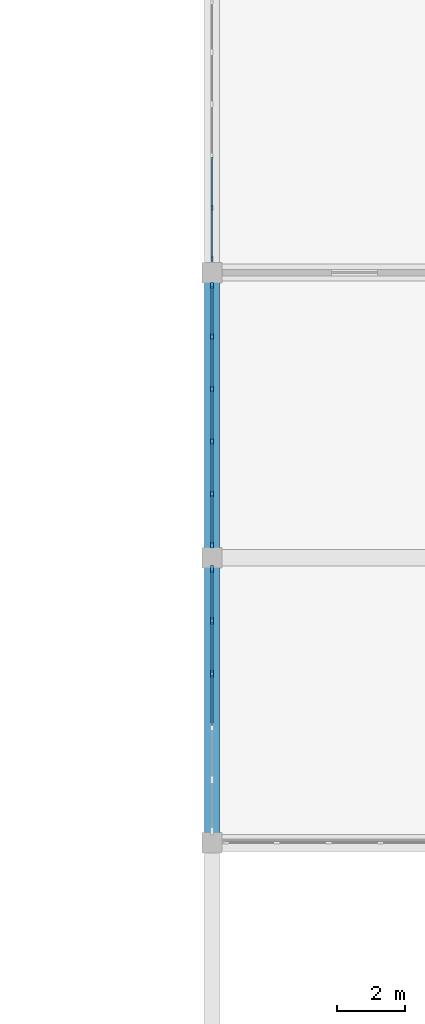
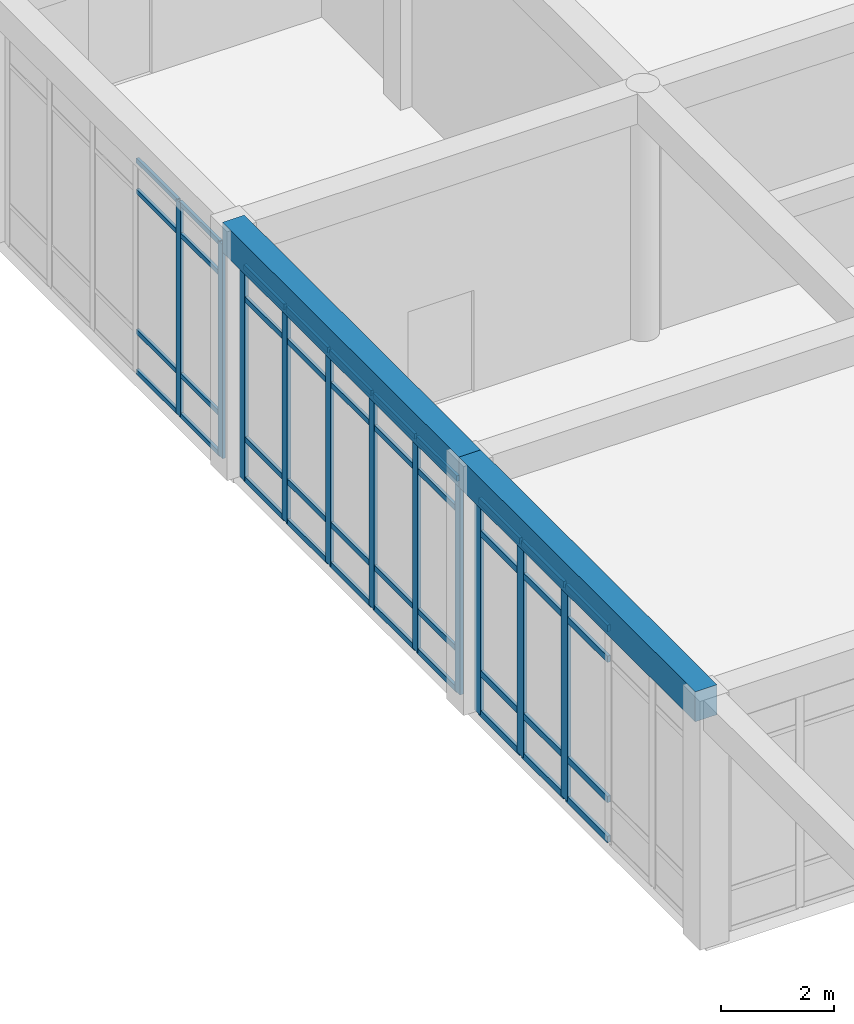
# One storey, part 19 of 89: 51 members, 2 beams, 3 elements without a shape of their own.
"""IFC4 building model written with IfcOpenShell, lengths in metres."""

from ifc_helpers import new_model, si_unit, direction, frame, origin, origin_2d, place, context, subcontext, project, spatial, rectangle, extrude, material, material_profile, profile_set, type_object, element, aggregate, save


model = new_model("IFC4")

# Units and contexts
model_context = context("Model", 3, precision=1e-05, world=origin(), true_north=direction((0.0, 1.0)))
body_context = subcontext(model_context, "Body", "Model", "MODEL_VIEW")
ifc_project = project(units=[si_unit("LENGTHUNIT", "METRE"), si_unit("AREAUNIT", "SQUARE_METRE"), si_unit("VOLUMEUNIT", "CUBIC_METRE"), si_unit("PLANEANGLEUNIT", "RADIAN"), si_unit("MASSUNIT", "GRAM", prefix="KILO")], contexts=[model_context])

# Site, building, storey
site_placement = place(None, origin())
site = spatial("IfcSite", under=ifc_project, at=site_placement, CompositionType="ELEMENT")
building_placement = place(site_placement, origin())
building = spatial("IfcBuilding", under=site, at=building_placement, Name="Varncliffe General Hospital", CompositionType="ELEMENT")
storey_placement = place(building_placement, frame((0.0, 0.0, 10.800048828125)))
storey = spatial("IfcBuildingStorey", under=building, at=storey_placement, Name="L02", CompositionType="ELEMENT", Elevation=10.800048828125)

# Curtain wall, members
ifc_material_1 = material(Name="Triple low-E argon insulated vision glazing", Category="glass")
curtain_wall_type_1 = type_object("IfcCurtainWallType", Name="Unitised Glazed Curtain Wall CW70 (7724x4640)", PredefinedType="USERDEFINED", material=ifc_material_1)
curtain_wall_1_placement = place(storey_placement, origin())
curtain_wall_1 = element("IfcCurtainWall", 1, at=curtain_wall_1_placement, inside=storey, type_object=curtain_wall_type_1, Name="L02 Glazed Curtain Wall CW70-142", ObjectType="GLAZED CURTAIN WALL", PredefinedType="USERDEFINED")
ifc_material_2 = material(Name="Dark bronze thermally broken aluminium framing", Category="aluminium")
ifc_material_profile_1 = material_profile(ifc_material_2, rectangle(XDim=0.074951171875, YDim=0.179931640625, at=origin_2d()), Name="ALU 75x180")
ifc_profile_set_1 = profile_set([ifc_material_profile_1], Name="Dark bronze thermally broken aluminium framing")
member_type_1 = type_object("IfcMemberType", Name="Curtain Wall Mullion CM44 (ALU 75x180)", PredefinedType="MULLION", material=ifc_profile_set_1)
member_1_placement = place(storey_placement, frame((58.800048828125, 66.37548828125, 0.0), z_axis=(0.0, 0.0, 1.0), x_axis=(-1.0, 0.0, 0.0)))
member_1 = element("IfcMember", 2, at=member_1_placement, type_object=member_type_1, Name="CW70 mullion 1", PredefinedType="MULLION", context=body_context, shape_type="SweptSolid", body=[
    extrude(rectangle(XDim=0.074951171875, YDim=0.179931640625, at=origin_2d()), origin(), (0.0, 0.0, 1.0), 4.639892578125),
])
member_2_placement = place(storey_placement, frame((58.800048828125, 67.8828125, 0.0), z_axis=(0.0, 0.0, 1.0), x_axis=(-1.0, 0.0, 0.0)))
member_2 = element("IfcMember", 3, at=member_2_placement, type_object=member_type_1, Name="CW70 mullion 2", PredefinedType="MULLION", context=body_context, shape_type="SweptSolid", body=[
    extrude(rectangle(XDim=0.074951171875, YDim=0.179931640625, at=origin_2d()), origin(), (0.0, 0.0, 1.0), 4.639892578125),
])
member_3_placement = place(storey_placement, frame((58.800048828125, 69.427490234375, 0.0), z_axis=(0.0, 0.0, 1.0), x_axis=(-1.0, 0.0, 0.0)))
member_3 = element("IfcMember", 4, at=member_3_placement, type_object=member_type_1, Name="CW70 mullion 3", PredefinedType="MULLION", context=body_context, shape_type="SweptSolid", body=[
    extrude(rectangle(XDim=0.074951171875, YDim=0.179931640625, at=origin_2d()), origin(), (0.0, 0.0, 1.0), 4.639892578125),
])
member_4_placement = place(storey_placement, frame((58.800048828125, 70.972412109375, 0.0), z_axis=(0.0, 0.0, 1.0), x_axis=(-1.0, 0.0, 0.0)))
member_4 = element("IfcMember", 5, at=member_4_placement, type_object=member_type_1, Name="CW70 mullion 4", PredefinedType="MULLION", context=body_context, shape_type="SweptSolid", body=[
    extrude(rectangle(XDim=0.074951171875, YDim=0.179931640625, at=origin_2d()), origin(), (0.0, 0.0, 1.0), 4.639892578125),
])
member_5_placement = place(storey_placement, frame((58.800048828125, 72.51708984375, 0.0), z_axis=(0.0, 0.0, 1.0), x_axis=(-1.0, 0.0, 0.0)))
member_5 = element("IfcMember", 6, at=member_5_placement, type_object=member_type_1, Name="CW70 mullion 5", PredefinedType="MULLION", context=body_context, shape_type="SweptSolid", body=[
    extrude(rectangle(XDim=0.074951171875, YDim=0.179931640625, at=origin_2d()), origin(), (0.0, 0.0, 1.0), 4.639892578125),
])
member_6_placement = place(storey_placement, frame((58.800048828125, 74.0244140625, 0.0), z_axis=(0.0, 0.0, 1.0), x_axis=(-1.0, 0.0, 0.0)))
member_6 = element("IfcMember", 7, at=member_6_placement, type_object=member_type_1, Name="CW70 mullion 6", PredefinedType="MULLION", context=body_context, shape_type="SweptSolid", body=[
    extrude(rectangle(XDim=0.074951171875, YDim=0.179931640625, at=origin_2d()), origin(), (0.0, 0.0, 1.0), 4.639892578125),
])

curtain_wall_type_2 = type_object("IfcCurtainWallType", Name="Unitised Glazed Curtain Wall CW27 (7644x4640)", PredefinedType="USERDEFINED", material=ifc_material_1)
curtain_wall_2_placement = place(storey_placement, origin())
curtain_wall_2 = element("IfcCurtainWall", 8, at=curtain_wall_2_placement, inside=storey, type_object=curtain_wall_type_2, Name="L02 Glazed Curtain Wall CW27-143", ObjectType="GLAZED CURTAIN WALL", PredefinedType="USERDEFINED")
ifc_material_profile_2 = material_profile(ifc_material_2, rectangle(XDim=0.06494140625, YDim=0.159912109375, at=origin_2d()), Name="ALU 65x160")
ifc_profile_set_2 = profile_set([ifc_material_profile_2], Name="Dark bronze thermally broken aluminium framing")
member_type_2 = type_object("IfcMemberType", Name="Curtain Wall Mullion CM65 (ALU 65x160)", PredefinedType="MULLION", material=ifc_profile_set_2)
member_7_placement = place(storey_placement, frame((58.800048828125, 74.810546875, 0.0), z_axis=(0.0, 0.0, 1.0), x_axis=(-1.0, 0.0, 0.0)))
member_7 = element("IfcMember", 9, at=member_7_placement, type_object=member_type_2, Name="CW27 mullion 1", PredefinedType="MULLION", context=body_context, shape_type="SweptSolid", body=[
    extrude(rectangle(XDim=0.06494140625, YDim=0.159912109375, at=origin_2d()), origin(), (0.0, 0.0, 1.0), 4.639892578125),
])
member_8_placement = place(storey_placement, frame((58.800048828125, 76.306884765625, 0.0), z_axis=(0.0, 0.0, 1.0), x_axis=(-1.0, 0.0, 0.0)))
member_8 = element("IfcMember", 10, at=member_8_placement, type_object=member_type_2, Name="CW27 mullion 2", PredefinedType="MULLION", context=body_context, shape_type="SweptSolid", body=[
    extrude(rectangle(XDim=0.06494140625, YDim=0.159912109375, at=origin_2d()), origin(), (0.0, 0.0, 1.0), 4.639892578125),
])

curtain_wall_type_3 = type_object("IfcCurtainWallType", Name="Unitised Glazed Curtain Wall CW85 (7804x4640)", PredefinedType="USERDEFINED", material=ifc_material_1)
curtain_wall_3_placement = place(storey_placement, origin())
curtain_wall_3 = element("IfcCurtainWall", 11, at=curtain_wall_3_placement, inside=storey, type_object=curtain_wall_type_3, Name="L02 Glazed Curtain Wall CW85-141", ObjectType="GLAZED CURTAIN WALL", PredefinedType="USERDEFINED")
ifc_material_profile_3 = material_profile(ifc_material_2, rectangle(XDim=0.074951171875, YDim=0.219970703125, at=origin_2d()), Name="ALU 75x220")
ifc_profile_set_3 = profile_set([ifc_material_profile_3], Name="Dark bronze thermally broken aluminium framing")
member_type_3 = type_object("IfcMemberType", Name="Curtain Wall Mullion CM74 (ALU 75x220)", PredefinedType="MULLION", material=ifc_profile_set_3)
member_9_placement = place(storey_placement, frame((58.800048828125, 62.580322265625, 0.0), z_axis=(0.0, 0.0, 1.0), x_axis=(-1.0, 0.0, 0.0)))
member_9 = element("IfcMember", 12, at=member_9_placement, type_object=member_type_3, Name="CW85 mullion 4", PredefinedType="MULLION", context=body_context, shape_type="SweptSolid", body=[
    extrude(rectangle(XDim=0.074951171875, YDim=0.219970703125, at=origin_2d()), origin(), (0.0, 0.0, 1.0), 4.639892578125),
])
member_10_placement = place(storey_placement, frame((58.800048828125, 64.14111328125, 0.0), z_axis=(0.0, 0.0, 1.0), x_axis=(-1.0, 0.0, 0.0)))
member_10 = element("IfcMember", 13, at=member_10_placement, type_object=member_type_3, Name="CW85 mullion 5", PredefinedType="MULLION", context=body_context, shape_type="SweptSolid", body=[
    extrude(rectangle(XDim=0.074951171875, YDim=0.219970703125, at=origin_2d()), origin(), (0.0, 0.0, 1.0), 4.639892578125),
])
member_11_placement = place(storey_placement, frame((58.800048828125, 65.66455078125, 0.0), z_axis=(0.0, 0.0, 1.0), x_axis=(-1.0, 0.0, 0.0)))
member_11 = element("IfcMember", 14, at=member_11_placement, type_object=member_type_3, Name="CW85 mullion 6", PredefinedType="MULLION", context=body_context, shape_type="SweptSolid", body=[
    extrude(rectangle(XDim=0.074951171875, YDim=0.219970703125, at=origin_2d()), origin(), (0.0, 0.0, 1.0), 4.639892578125),
])

# Member
ifc_material_profile_4 = material_profile(ifc_material_2, rectangle(XDim=0.06005859375, YDim=0.1201171875, at=origin_2d()), Name="ALU 60x120")
ifc_profile_set_4 = profile_set([ifc_material_profile_4], Name="Dark bronze thermally broken aluminium framing")
member_type_4 = type_object("IfcMemberType", Name="Curtain Wall Transom CT14 (ALU 60x120)", PredefinedType="USERDEFINED", material=ifc_profile_set_4)
member_12_placement = place(storey_placement, frame((58.800048828125, 66.4130859375, 0.030029296875), z_axis=(0.0, 1.0, 0.0), x_axis=(-1.0, 0.0, 0.0)))
member_12 = element("IfcMember", 15, at=member_12_placement, type_object=member_type_4, Name="CW70 transom 1.1", ObjectType="TRANSOM", PredefinedType="USERDEFINED", context=body_context, shape_type="SweptSolid", body=[
    extrude(rectangle(XDim=0.06005859375, YDim=0.1201171875, at=origin_2d()), origin(), (0.0, 0.0, 1.0), 1.43212890625),
])

member_13_placement = place(storey_placement, frame((58.800048828125, 66.4130859375, 0.89990234375), z_axis=(0.0, 1.0, 0.0), x_axis=(-1.0, 0.0, 0.0)))
member_13 = element("IfcMember", 16, at=member_13_placement, type_object=member_type_4, Name="CW70 transom 1.2", ObjectType="TRANSOM", PredefinedType="USERDEFINED", context=body_context, shape_type="SweptSolid", body=[
    extrude(rectangle(XDim=0.06005859375, YDim=0.1201171875, at=origin_2d()), origin(), (0.0, 0.0, 1.0), 1.43212890625),
])

member_14_placement = place(storey_placement, frame((58.800048828125, 66.4130859375, 3.93994140625), z_axis=(0.0, 1.0, 0.0), x_axis=(-1.0, 0.0, 0.0)))
member_14 = element("IfcMember", 17, at=member_14_placement, type_object=member_type_4, Name="CW70 transom 1.3", ObjectType="TRANSOM", PredefinedType="USERDEFINED", context=body_context, shape_type="SweptSolid", body=[
    extrude(rectangle(XDim=0.06005859375, YDim=0.1201171875, at=origin_2d()), origin(), (0.0, 0.0, 1.0), 1.43212890625),
])

member_15_placement = place(storey_placement, frame((58.800048828125, 66.4130859375, 4.60986328125), z_axis=(0.0, 1.0, 0.0), x_axis=(-1.0, 0.0, 0.0)))
member_15 = element("IfcMember", 18, at=member_15_placement, type_object=member_type_4, Name="CW70 transom 1.4", ObjectType="TRANSOM", PredefinedType="USERDEFINED", context=body_context, shape_type="SweptSolid", body=[
    extrude(rectangle(XDim=0.06005859375, YDim=0.1201171875, at=origin_2d()), origin(), (0.0, 0.0, 1.0), 1.43212890625),
])

member_16_placement = place(storey_placement, frame((58.800048828125, 67.92041015625, 0.030029296875), z_axis=(0.0, 1.0, 0.0), x_axis=(-1.0, 0.0, 0.0)))
member_16 = element("IfcMember", 19, at=member_16_placement, type_object=member_type_4, Name="CW70 transom 2.1", ObjectType="TRANSOM", PredefinedType="USERDEFINED", context=body_context, shape_type="SweptSolid", body=[
    extrude(rectangle(XDim=0.06005859375, YDim=0.1201171875, at=origin_2d()), origin(), (0.0, 0.0, 1.0), 1.4697265625),
])

member_17_placement = place(storey_placement, frame((58.800048828125, 67.92041015625, 0.89990234375), z_axis=(0.0, 1.0, 0.0), x_axis=(-1.0, 0.0, 0.0)))
member_17 = element("IfcMember", 20, at=member_17_placement, type_object=member_type_4, Name="CW70 transom 2.2", ObjectType="TRANSOM", PredefinedType="USERDEFINED", context=body_context, shape_type="SweptSolid", body=[
    extrude(rectangle(XDim=0.06005859375, YDim=0.1201171875, at=origin_2d()), origin(), (0.0, 0.0, 1.0), 1.4697265625),
])

member_18_placement = place(storey_placement, frame((58.800048828125, 67.92041015625, 3.93994140625), z_axis=(0.0, 1.0, 0.0), x_axis=(-1.0, 0.0, 0.0)))
member_18 = element("IfcMember", 21, at=member_18_placement, type_object=member_type_4, Name="CW70 transom 2.3", ObjectType="TRANSOM", PredefinedType="USERDEFINED", context=body_context, shape_type="SweptSolid", body=[
    extrude(rectangle(XDim=0.06005859375, YDim=0.1201171875, at=origin_2d()), origin(), (0.0, 0.0, 1.0), 1.4697265625),
])

member_19_placement = place(storey_placement, frame((58.800048828125, 67.92041015625, 4.60986328125), z_axis=(0.0, 1.0, 0.0), x_axis=(-1.0, 0.0, 0.0)))
member_19 = element("IfcMember", 22, at=member_19_placement, type_object=member_type_4, Name="CW70 transom 2.4", ObjectType="TRANSOM", PredefinedType="USERDEFINED", context=body_context, shape_type="SweptSolid", body=[
    extrude(rectangle(XDim=0.06005859375, YDim=0.1201171875, at=origin_2d()), origin(), (0.0, 0.0, 1.0), 1.4697265625),
])

member_20_placement = place(storey_placement, frame((58.800048828125, 69.465087890625, 0.030029296875), z_axis=(0.0, 1.0, 0.0), x_axis=(-1.0, 0.0, 0.0)))
member_20 = element("IfcMember", 23, at=member_20_placement, type_object=member_type_4, Name="CW70 transom 3.1", ObjectType="TRANSOM", PredefinedType="USERDEFINED", context=body_context, shape_type="SweptSolid", body=[
    extrude(rectangle(XDim=0.06005859375, YDim=0.1201171875, at=origin_2d()), origin(), (0.0, 0.0, 1.0), 1.4697265625),
])

member_21_placement = place(storey_placement, frame((58.800048828125, 69.465087890625, 0.89990234375), z_axis=(0.0, 1.0, 0.0), x_axis=(-1.0, 0.0, 0.0)))
member_21 = element("IfcMember", 24, at=member_21_placement, type_object=member_type_4, Name="CW70 transom 3.2", ObjectType="TRANSOM", PredefinedType="USERDEFINED", context=body_context, shape_type="SweptSolid", body=[
    extrude(rectangle(XDim=0.06005859375, YDim=0.1201171875, at=origin_2d()), origin(), (0.0, 0.0, 1.0), 1.4697265625),
])

member_22_placement = place(storey_placement, frame((58.800048828125, 69.465087890625, 3.93994140625), z_axis=(0.0, 1.0, 0.0), x_axis=(-1.0, 0.0, 0.0)))
member_22 = element("IfcMember", 25, at=member_22_placement, type_object=member_type_4, Name="CW70 transom 3.3", ObjectType="TRANSOM", PredefinedType="USERDEFINED", context=body_context, shape_type="SweptSolid", body=[
    extrude(rectangle(XDim=0.06005859375, YDim=0.1201171875, at=origin_2d()), origin(), (0.0, 0.0, 1.0), 1.4697265625),
])

member_23_placement = place(storey_placement, frame((58.800048828125, 69.465087890625, 4.60986328125), z_axis=(0.0, 1.0, 0.0), x_axis=(-1.0, 0.0, 0.0)))
member_23 = element("IfcMember", 26, at=member_23_placement, type_object=member_type_4, Name="CW70 transom 3.4", ObjectType="TRANSOM", PredefinedType="USERDEFINED", context=body_context, shape_type="SweptSolid", body=[
    extrude(rectangle(XDim=0.06005859375, YDim=0.1201171875, at=origin_2d()), origin(), (0.0, 0.0, 1.0), 1.4697265625),
])

member_24_placement = place(storey_placement, frame((58.800048828125, 71.010009765625, 0.030029296875), z_axis=(0.0, 1.0, 0.0), x_axis=(-1.0, 0.0, 0.0)))
member_24 = element("IfcMember", 27, at=member_24_placement, type_object=member_type_4, Name="CW70 transom 4.1", ObjectType="TRANSOM", PredefinedType="USERDEFINED", context=body_context, shape_type="SweptSolid", body=[
    extrude(rectangle(XDim=0.06005859375, YDim=0.1201171875, at=origin_2d()), origin(), (0.0, 0.0, 1.0), 1.4697265625),
])

member_25_placement = place(storey_placement, frame((58.800048828125, 71.010009765625, 0.89990234375), z_axis=(0.0, 1.0, 0.0), x_axis=(-1.0, 0.0, 0.0)))
member_25 = element("IfcMember", 28, at=member_25_placement, type_object=member_type_4, Name="CW70 transom 4.2", ObjectType="TRANSOM", PredefinedType="USERDEFINED", context=body_context, shape_type="SweptSolid", body=[
    extrude(rectangle(XDim=0.06005859375, YDim=0.1201171875, at=origin_2d()), origin(), (0.0, 0.0, 1.0), 1.4697265625),
])

member_26_placement = place(storey_placement, frame((58.800048828125, 71.010009765625, 3.93994140625), z_axis=(0.0, 1.0, 0.0), x_axis=(-1.0, 0.0, 0.0)))
member_26 = element("IfcMember", 29, at=member_26_placement, type_object=member_type_4, Name="CW70 transom 4.3", ObjectType="TRANSOM", PredefinedType="USERDEFINED", context=body_context, shape_type="SweptSolid", body=[
    extrude(rectangle(XDim=0.06005859375, YDim=0.1201171875, at=origin_2d()), origin(), (0.0, 0.0, 1.0), 1.4697265625),
])

member_27_placement = place(storey_placement, frame((58.800048828125, 71.010009765625, 4.60986328125), z_axis=(0.0, 1.0, 0.0), x_axis=(-1.0, 0.0, 0.0)))
member_27 = element("IfcMember", 30, at=member_27_placement, type_object=member_type_4, Name="CW70 transom 4.4", ObjectType="TRANSOM", PredefinedType="USERDEFINED", context=body_context, shape_type="SweptSolid", body=[
    extrude(rectangle(XDim=0.06005859375, YDim=0.1201171875, at=origin_2d()), origin(), (0.0, 0.0, 1.0), 1.4697265625),
])

member_28_placement = place(storey_placement, frame((58.800048828125, 72.5546875, 0.030029296875), z_axis=(0.0, 1.0, 0.0), x_axis=(-1.0, 0.0, 0.0)))
member_28 = element("IfcMember", 31, at=member_28_placement, type_object=member_type_4, Name="CW70 transom 5.1", ObjectType="TRANSOM", PredefinedType="USERDEFINED", context=body_context, shape_type="SweptSolid", body=[
    extrude(rectangle(XDim=0.06005859375, YDim=0.1201171875, at=origin_2d()), origin(), (0.0, 0.0, 1.0), 1.432373046875),
])

member_29_placement = place(storey_placement, frame((58.800048828125, 72.5546875, 0.89990234375), z_axis=(0.0, 1.0, 0.0), x_axis=(-1.0, 0.0, 0.0)))
member_29 = element("IfcMember", 32, at=member_29_placement, type_object=member_type_4, Name="CW70 transom 5.2", ObjectType="TRANSOM", PredefinedType="USERDEFINED", context=body_context, shape_type="SweptSolid", body=[
    extrude(rectangle(XDim=0.06005859375, YDim=0.1201171875, at=origin_2d()), origin(), (0.0, 0.0, 1.0), 1.432373046875),
])

member_30_placement = place(storey_placement, frame((58.800048828125, 72.5546875, 3.93994140625), z_axis=(0.0, 1.0, 0.0), x_axis=(-1.0, 0.0, 0.0)))
member_30 = element("IfcMember", 33, at=member_30_placement, type_object=member_type_4, Name="CW70 transom 5.3", ObjectType="TRANSOM", PredefinedType="USERDEFINED", context=body_context, shape_type="SweptSolid", body=[
    extrude(rectangle(XDim=0.06005859375, YDim=0.1201171875, at=origin_2d()), origin(), (0.0, 0.0, 1.0), 1.432373046875),
])

member_31_placement = place(storey_placement, frame((58.800048828125, 72.5546875, 4.60986328125), z_axis=(0.0, 1.0, 0.0), x_axis=(-1.0, 0.0, 0.0)))
member_31 = element("IfcMember", 34, at=member_31_placement, type_object=member_type_4, Name="CW70 transom 5.4", ObjectType="TRANSOM", PredefinedType="USERDEFINED", context=body_context, shape_type="SweptSolid", body=[
    extrude(rectangle(XDim=0.06005859375, YDim=0.1201171875, at=origin_2d()), origin(), (0.0, 0.0, 1.0), 1.432373046875),
])

aggregate(curtain_wall_1, [member_1, member_2, member_3, member_4, member_5, member_6, member_12, member_13, member_14, member_15, member_16, member_17, member_18, member_19, member_20, member_21, member_22, member_23, member_24, member_25, member_26, member_27, member_28, member_29, member_30, member_31])

ifc_material_profile_5 = material_profile(ifc_material_2, rectangle(XDim=0.06005859375, YDim=0.10009765625, at=origin_2d()), Name="ALU 60x100")
ifc_profile_set_5 = profile_set([ifc_material_profile_5], Name="Dark bronze thermally broken aluminium framing")
member_type_5 = type_object("IfcMemberType", Name="Curtain Wall Transom CT18 (ALU 60x100)", PredefinedType="USERDEFINED", material=ifc_profile_set_5)
member_32_placement = place(storey_placement, frame((58.800048828125, 74.843017578125, 0.030029296875), z_axis=(0.0, 1.0, 0.0), x_axis=(-1.0, 0.0, 0.0)))
member_32 = element("IfcMember", 35, at=member_32_placement, type_object=member_type_5, Name="CW27 transom 1.1", ObjectType="TRANSOM", PredefinedType="USERDEFINED", context=body_context, shape_type="SweptSolid", body=[
    extrude(rectangle(XDim=0.06005859375, YDim=0.10009765625, at=origin_2d()), origin(), (0.0, 0.0, 1.0), 1.431396484375),
])

member_33_placement = place(storey_placement, frame((58.800048828125, 74.843017578125, 0.89990234375), z_axis=(0.0, 1.0, 0.0), x_axis=(-1.0, 0.0, 0.0)))
member_33 = element("IfcMember", 36, at=member_33_placement, type_object=member_type_5, Name="CW27 transom 1.2", ObjectType="TRANSOM", PredefinedType="USERDEFINED", context=body_context, shape_type="SweptSolid", body=[
    extrude(rectangle(XDim=0.06005859375, YDim=0.10009765625, at=origin_2d()), origin(), (0.0, 0.0, 1.0), 1.431396484375),
])

member_34_placement = place(storey_placement, frame((58.800048828125, 74.843017578125, 3.93994140625), z_axis=(0.0, 1.0, 0.0), x_axis=(-1.0, 0.0, 0.0)))
member_34 = element("IfcMember", 37, at=member_34_placement, type_object=member_type_5, Name="CW27 transom 1.3", ObjectType="TRANSOM", PredefinedType="USERDEFINED", context=body_context, shape_type="SweptSolid", body=[
    extrude(rectangle(XDim=0.06005859375, YDim=0.10009765625, at=origin_2d()), origin(), (0.0, 0.0, 1.0), 1.431396484375),
])

member_35_placement = place(storey_placement, frame((58.800048828125, 74.843017578125, 4.60986328125), z_axis=(0.0, 1.0, 0.0), x_axis=(-1.0, 0.0, 0.0)))
member_35 = element("IfcMember", 38, at=member_35_placement, type_object=member_type_5, Name="CW27 transom 1.4", ObjectType="TRANSOM", PredefinedType="USERDEFINED", context=body_context, shape_type="SweptSolid", body=[
    extrude(rectangle(XDim=0.06005859375, YDim=0.10009765625, at=origin_2d()), origin(), (0.0, 0.0, 1.0), 1.431396484375),
])

member_36_placement = place(storey_placement, frame((58.800048828125, 76.33935546875, 0.030029296875), z_axis=(0.0, 1.0, 0.0), x_axis=(-1.0, 0.0, 0.0)))
member_36 = element("IfcMember", 39, at=member_36_placement, type_object=member_type_5, Name="CW27 transom 2.1", ObjectType="TRANSOM", PredefinedType="USERDEFINED", context=body_context, shape_type="SweptSolid", body=[
    extrude(rectangle(XDim=0.06005859375, YDim=0.10009765625, at=origin_2d()), origin(), (0.0, 0.0, 1.0), 1.463623046875),
])

member_37_placement = place(storey_placement, frame((58.800048828125, 76.33935546875, 0.89990234375), z_axis=(0.0, 1.0, 0.0), x_axis=(-1.0, 0.0, 0.0)))
member_37 = element("IfcMember", 40, at=member_37_placement, type_object=member_type_5, Name="CW27 transom 2.2", ObjectType="TRANSOM", PredefinedType="USERDEFINED", context=body_context, shape_type="SweptSolid", body=[
    extrude(rectangle(XDim=0.06005859375, YDim=0.10009765625, at=origin_2d()), origin(), (0.0, 0.0, 1.0), 1.463623046875),
])

member_38_placement = place(storey_placement, frame((58.800048828125, 76.33935546875, 3.93994140625), z_axis=(0.0, 1.0, 0.0), x_axis=(-1.0, 0.0, 0.0)))
member_38 = element("IfcMember", 41, at=member_38_placement, type_object=member_type_5, Name="CW27 transom 2.3", ObjectType="TRANSOM", PredefinedType="USERDEFINED", context=body_context, shape_type="SweptSolid", body=[
    extrude(rectangle(XDim=0.06005859375, YDim=0.10009765625, at=origin_2d()), origin(), (0.0, 0.0, 1.0), 1.463623046875),
])

member_39_placement = place(storey_placement, frame((58.800048828125, 76.33935546875, 4.60986328125), z_axis=(0.0, 1.0, 0.0), x_axis=(-1.0, 0.0, 0.0)))
member_39 = element("IfcMember", 42, at=member_39_placement, type_object=member_type_5, Name="CW27 transom 2.4", ObjectType="TRANSOM", PredefinedType="USERDEFINED", context=body_context, shape_type="SweptSolid", body=[
    extrude(rectangle(XDim=0.06005859375, YDim=0.10009765625, at=origin_2d()), origin(), (0.0, 0.0, 1.0), 1.463623046875),
])

aggregate(curtain_wall_2, [member_7, member_8, member_32, member_33, member_34, member_35, member_36, member_37, member_38, member_39])

ifc_material_profile_6 = material_profile(ifc_material_2, rectangle(XDim=0.06494140625, YDim=0.139892578125, at=origin_2d()), Name="ALU 65x140")
ifc_profile_set_6 = profile_set([ifc_material_profile_6], Name="Dark bronze thermally broken aluminium framing")
member_type_6 = type_object("IfcMemberType", Name="Curtain Wall Transom CT69 (ALU 65x140)", PredefinedType="USERDEFINED", material=ifc_profile_set_6)
member_40_placement = place(storey_placement, frame((58.800048828125, 61.05712890625, 0.032470703125), z_axis=(0.0, 1.0, 0.0), x_axis=(-1.0, 0.0, 0.0)))
member_40 = element("IfcMember", 43, at=member_40_placement, type_object=member_type_6, Name="CW85 transom 3.1", ObjectType="TRANSOM", PredefinedType="USERDEFINED", context=body_context, shape_type="SweptSolid", body=[
    extrude(rectangle(XDim=0.06494140625, YDim=0.139892578125, at=origin_2d()), origin(), (0.0, 0.0, 1.0), 1.48583984375),
])

member_41_placement = place(storey_placement, frame((58.800048828125, 61.05712890625, 0.89990234375), z_axis=(0.0, 1.0, 0.0), x_axis=(-1.0, 0.0, 0.0)))
member_41 = element("IfcMember", 44, at=member_41_placement, type_object=member_type_6, Name="CW85 transom 3.2", ObjectType="TRANSOM", PredefinedType="USERDEFINED", context=body_context, shape_type="SweptSolid", body=[
    extrude(rectangle(XDim=0.06494140625, YDim=0.139892578125, at=origin_2d()), origin(), (0.0, 0.0, 1.0), 1.48583984375),
])

member_42_placement = place(storey_placement, frame((58.800048828125, 61.05712890625, 3.93994140625), z_axis=(0.0, 1.0, 0.0), x_axis=(-1.0, 0.0, 0.0)))
member_42 = element("IfcMember", 45, at=member_42_placement, type_object=member_type_6, Name="CW85 transom 3.3", ObjectType="TRANSOM", PredefinedType="USERDEFINED", context=body_context, shape_type="SweptSolid", body=[
    extrude(rectangle(XDim=0.06494140625, YDim=0.139892578125, at=origin_2d()), origin(), (0.0, 0.0, 1.0), 1.48583984375),
])

member_43_placement = place(storey_placement, frame((58.800048828125, 61.05712890625, 4.607421875), z_axis=(0.0, 1.0, 0.0), x_axis=(-1.0, 0.0, 0.0)))
member_43 = element("IfcMember", 46, at=member_43_placement, type_object=member_type_6, Name="CW85 transom 3.4", ObjectType="TRANSOM", PredefinedType="USERDEFINED", context=body_context, shape_type="SweptSolid", body=[
    extrude(rectangle(XDim=0.06494140625, YDim=0.139892578125, at=origin_2d()), origin(), (0.0, 0.0, 1.0), 1.48583984375),
])

member_44_placement = place(storey_placement, frame((58.800048828125, 62.617919921875, 0.032470703125), z_axis=(0.0, 1.0, 0.0), x_axis=(-1.0, 0.0, 0.0)))
member_44 = element("IfcMember", 47, at=member_44_placement, type_object=member_type_6, Name="CW85 transom 4.1", ObjectType="TRANSOM", PredefinedType="USERDEFINED", context=body_context, shape_type="SweptSolid", body=[
    extrude(rectangle(XDim=0.06494140625, YDim=0.139892578125, at=origin_2d()), origin(), (0.0, 0.0, 1.0), 1.48583984375),
])

member_45_placement = place(storey_placement, frame((58.800048828125, 62.617919921875, 0.89990234375), z_axis=(0.0, 1.0, 0.0), x_axis=(-1.0, 0.0, 0.0)))
member_45 = element("IfcMember", 48, at=member_45_placement, type_object=member_type_6, Name="CW85 transom 4.2", ObjectType="TRANSOM", PredefinedType="USERDEFINED", context=body_context, shape_type="SweptSolid", body=[
    extrude(rectangle(XDim=0.06494140625, YDim=0.139892578125, at=origin_2d()), origin(), (0.0, 0.0, 1.0), 1.48583984375),
])

member_46_placement = place(storey_placement, frame((58.800048828125, 62.617919921875, 3.93994140625), z_axis=(0.0, 1.0, 0.0), x_axis=(-1.0, 0.0, 0.0)))
member_46 = element("IfcMember", 49, at=member_46_placement, type_object=member_type_6, Name="CW85 transom 4.3", ObjectType="TRANSOM", PredefinedType="USERDEFINED", context=body_context, shape_type="SweptSolid", body=[
    extrude(rectangle(XDim=0.06494140625, YDim=0.139892578125, at=origin_2d()), origin(), (0.0, 0.0, 1.0), 1.48583984375),
])

member_47_placement = place(storey_placement, frame((58.800048828125, 62.617919921875, 4.607421875), z_axis=(0.0, 1.0, 0.0), x_axis=(-1.0, 0.0, 0.0)))
member_47 = element("IfcMember", 50, at=member_47_placement, type_object=member_type_6, Name="CW85 transom 4.4", ObjectType="TRANSOM", PredefinedType="USERDEFINED", context=body_context, shape_type="SweptSolid", body=[
    extrude(rectangle(XDim=0.06494140625, YDim=0.139892578125, at=origin_2d()), origin(), (0.0, 0.0, 1.0), 1.48583984375),
])

member_48_placement = place(storey_placement, frame((58.800048828125, 64.1787109375, 0.032470703125), z_axis=(0.0, 1.0, 0.0), x_axis=(-1.0, 0.0, 0.0)))
member_48 = element("IfcMember", 51, at=member_48_placement, type_object=member_type_6, Name="CW85 transom 5.1", ObjectType="TRANSOM", PredefinedType="USERDEFINED", context=body_context, shape_type="SweptSolid", body=[
    extrude(rectangle(XDim=0.06494140625, YDim=0.139892578125, at=origin_2d()), origin(), (0.0, 0.0, 1.0), 1.4482421875),
])

member_49_placement = place(storey_placement, frame((58.800048828125, 64.1787109375, 0.89990234375), z_axis=(0.0, 1.0, 0.0), x_axis=(-1.0, 0.0, 0.0)))
member_49 = element("IfcMember", 52, at=member_49_placement, type_object=member_type_6, Name="CW85 transom 5.2", ObjectType="TRANSOM", PredefinedType="USERDEFINED", context=body_context, shape_type="SweptSolid", body=[
    extrude(rectangle(XDim=0.06494140625, YDim=0.139892578125, at=origin_2d()), origin(), (0.0, 0.0, 1.0), 1.4482421875),
])

member_50_placement = place(storey_placement, frame((58.800048828125, 64.1787109375, 3.93994140625), z_axis=(0.0, 1.0, 0.0), x_axis=(-1.0, 0.0, 0.0)))
member_50 = element("IfcMember", 53, at=member_50_placement, type_object=member_type_6, Name="CW85 transom 5.3", ObjectType="TRANSOM", PredefinedType="USERDEFINED", context=body_context, shape_type="SweptSolid", body=[
    extrude(rectangle(XDim=0.06494140625, YDim=0.139892578125, at=origin_2d()), origin(), (0.0, 0.0, 1.0), 1.4482421875),
])

member_51_placement = place(storey_placement, frame((58.800048828125, 64.1787109375, 4.607421875), z_axis=(0.0, 1.0, 0.0), x_axis=(-1.0, 0.0, 0.0)))
member_51 = element("IfcMember", 54, at=member_51_placement, type_object=member_type_6, Name="CW85 transom 5.4", ObjectType="TRANSOM", PredefinedType="USERDEFINED", context=body_context, shape_type="SweptSolid", body=[
    extrude(rectangle(XDim=0.06494140625, YDim=0.139892578125, at=origin_2d()), origin(), (0.0, 0.0, 1.0), 1.4482421875),
])

aggregate(curtain_wall_3, [member_9, member_10, member_11, member_40, member_41, member_42, member_43, member_44, member_45, member_46, member_47, member_48, member_49, member_50, member_51])

# Beams
ifc_material_3 = material(Name="Concrete C35/45 (CSA A23.1 35 MPa)", Category="concrete")
ifc_material_profile_7 = material_profile(ifc_material_3, rectangle(XDim=0.449951171875, YDim=0.64990234375, at=origin_2d()), Name="RC 450x650")
ifc_profile_set_7 = profile_set([ifc_material_profile_7], Name="Concrete C35/45 (CSA A23.1 35 MPa)")
beam_type = type_object("IfcBeamType", Name="Spandrel SP38 (Ext RC 450x650B)", PredefinedType="SPANDREL", material=ifc_profile_set_7)
for number, where, z_axis, x_axis, name in (
    (55, (58.800048828125, 57.60009765625, 5.074951171875), (0.0, 1.0, 0.0), (-1.0, 0.0, 0.0), "L02 Spandrel Beam SP38-316"),
    (56, (58.800048828125, 66.0, 5.074951171875), (0.0, 1.0, 0.0), (-1.0, 0.0, 0.0), "L02 Spandrel Beam SP38-317"),
):
    element("IfcBeam", number, at=place(storey_placement, frame(where, z_axis=z_axis, x_axis=x_axis)), inside=storey, type_object=beam_type, Name=name, PredefinedType="SPANDREL", context=body_context, shape_type="SweptSolid", body=[
        extrude(rectangle(XDim=0.449951171875, YDim=0.64990234375, at=origin_2d()), origin(), (0.0, 0.0, 1.0), 8.39990234375),
    ])

save(model, "model.ifc")
